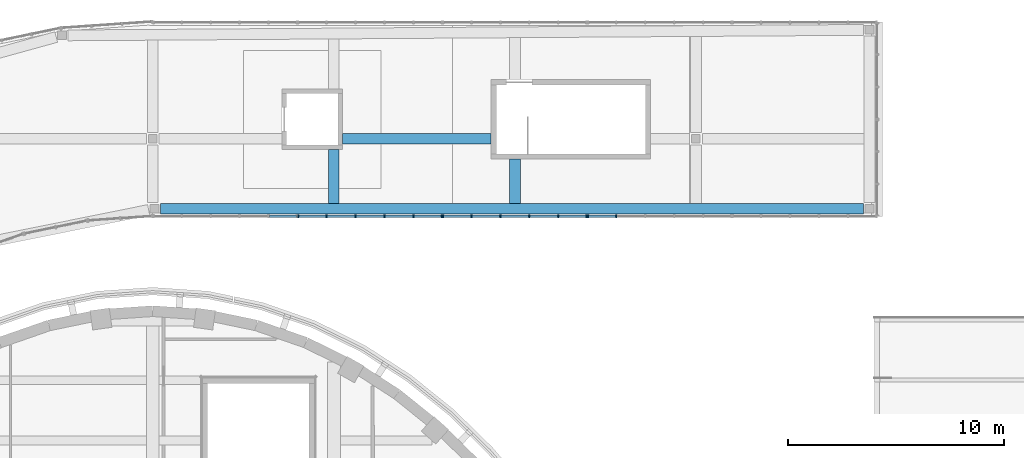
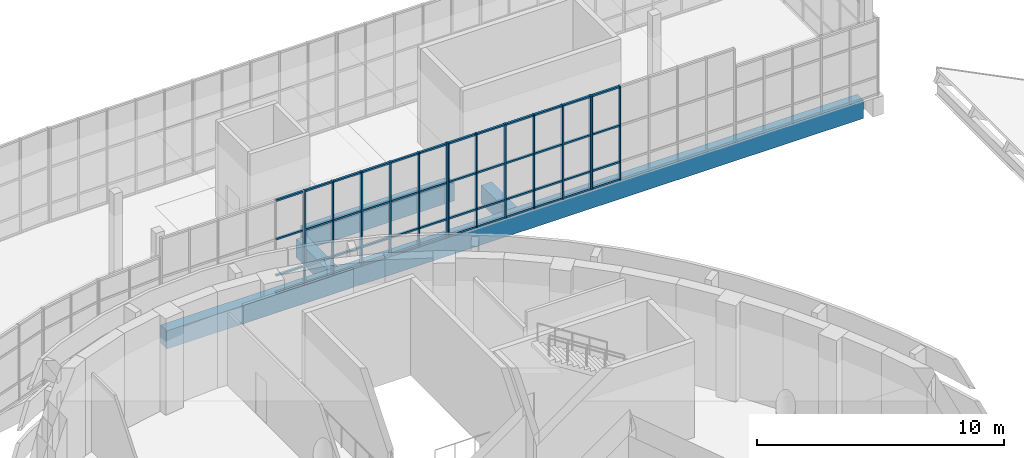
# One storey, part 24 of 103: 62 members, 4 beams, 4 elements without a shape of their own.
"""IFC4 building model written with IfcOpenShell, lengths in metres."""

from ifc_helpers import new_model, si_unit, direction, frame, origin, origin_2d, place, context, subcontext, project, spatial, rectangle, extrude, material, layer, layer_set, material_profile, profile_set, type_object, element, aggregate, save


model = new_model("IFC4")

# Units and contexts
model_context = context("Model", 3, precision=1e-05, world=origin(), true_north=direction((0.0, 1.0)))
body_context = subcontext(model_context, "Body", "Model", "MODEL_VIEW")
ifc_project = project(units=[si_unit("LENGTHUNIT", "METRE"), si_unit("AREAUNIT", "SQUARE_METRE"), si_unit("VOLUMEUNIT", "CUBIC_METRE"), si_unit("PLANEANGLEUNIT", "RADIAN"), si_unit("MASSUNIT", "GRAM", prefix="KILO")], contexts=[model_context])

# Site, building, storey
site_placement = place(None, origin())
site = spatial("IfcSite", under=ifc_project, at=site_placement, CompositionType="ELEMENT")
building_placement = place(site_placement, origin())
building = spatial("IfcBuilding", under=site, at=building_placement, Name="Larchfold Concert Hall", CompositionType="ELEMENT")
storey_placement = place(building_placement, frame((0.0, 0.0, 9.60009765625)))
storey = spatial("IfcBuildingStorey", under=building, at=storey_placement, Name="L02", CompositionType="ELEMENT", Elevation=9.60009765625)

# Curtain wall, members
ifc_material_1 = material(Name="Anodised graphite aluminium curtain wall", Category="aluminium")
ifc_layer = layer(ifc_material_1, 0.14990234375)
ifc_layer_set = layer_set([ifc_layer], Name="Anodised graphite aluminium curtain wall")
curtain_wall_type = type_object("IfcCurtainWallType", Name="Curtain wall WG", PredefinedType="NOTDEFINED", material=ifc_layer_set)
curtain_wall_1_placement = place(storey_placement, origin())
curtain_wall_1 = element("IfcCurtainWall", 1, at=curtain_wall_1_placement, inside=storey, type_object=curtain_wall_type, Name="Curtain wall CW0244", PredefinedType="NOTDEFINED")
ifc_material_2 = material(Name="Anodised graphite aluminium mullion", Category="aluminium")
ifc_material_profile_1 = material_profile(ifc_material_2, rectangle(XDim=0.14990234375, YDim=0.06005859375, at=origin_2d()))
ifc_profile_set_1 = profile_set([ifc_material_profile_1], Name="Anodised graphite aluminium mullion")
member_type_1 = type_object("IfcMemberType", Name="Aluminium mullion 60x150", PredefinedType="MULLION", material=ifc_profile_set_1)
member_1_placement = place(storey_placement, frame((49.35009765625, 123.0, 0.0), z_axis=(0.0, 0.0, 1.0), x_axis=(0.0, 1.0, 0.0)))
member_1 = element("IfcMember", 2, at=member_1_placement, type_object=member_type_1, Name="CW0244 mullion 1", PredefinedType="MULLION", context=body_context, shape_type="SweptSolid", body=[
    extrude(rectangle(XDim=0.14990234375, YDim=0.06005859375, at=origin_2d()), origin(), (0.0, 0.0, 1.0), 4.64990234375),
])
member_2_placement = place(storey_placement, frame((50.6640625, 123.0, 0.0), z_axis=(0.0, 0.0, 1.0), x_axis=(0.0, 1.0, 0.0)))
member_2 = element("IfcMember", 3, at=member_2_placement, type_object=member_type_1, Name="CW0244 mullion 2", PredefinedType="MULLION", context=body_context, shape_type="SweptSolid", body=[
    extrude(rectangle(XDim=0.14990234375, YDim=0.06005859375, at=origin_2d()), origin(), (0.0, 0.0, 1.0), 4.64990234375),
])
member_3_placement = place(storey_placement, frame((52.008056640625, 123.0, 0.0), z_axis=(0.0, 0.0, 1.0), x_axis=(0.0, 1.0, 0.0)))
member_3 = element("IfcMember", 4, at=member_3_placement, type_object=member_type_1, Name="CW0244 mullion 3", PredefinedType="MULLION", context=body_context, shape_type="SweptSolid", body=[
    extrude(rectangle(XDim=0.14990234375, YDim=0.06005859375, at=origin_2d()), origin(), (0.0, 0.0, 1.0), 4.64990234375),
])
member_4_placement = place(storey_placement, frame((53.35205078125, 123.0, 0.0), z_axis=(0.0, 0.0, 1.0), x_axis=(0.0, 1.0, 0.0)))
member_4 = element("IfcMember", 5, at=member_4_placement, type_object=member_type_1, Name="CW0244 mullion 4", PredefinedType="MULLION", context=body_context, shape_type="SweptSolid", body=[
    extrude(rectangle(XDim=0.14990234375, YDim=0.06005859375, at=origin_2d()), origin(), (0.0, 0.0, 1.0), 4.64990234375),
])
member_5_placement = place(storey_placement, frame((54.696044921875, 123.0, 0.0), z_axis=(0.0, 0.0, 1.0), x_axis=(0.0, 1.0, 0.0)))
member_5 = element("IfcMember", 6, at=member_5_placement, type_object=member_type_1, Name="CW0244 mullion 5", PredefinedType="MULLION", context=body_context, shape_type="SweptSolid", body=[
    extrude(rectangle(XDim=0.14990234375, YDim=0.06005859375, at=origin_2d()), origin(), (0.0, 0.0, 1.0), 4.64990234375),
])
member_6_placement = place(storey_placement, frame((56.010009765625, 123.0, 0.0), z_axis=(0.0, 0.0, 1.0), x_axis=(0.0, 1.0, 0.0)))
member_6 = element("IfcMember", 7, at=member_6_placement, type_object=member_type_1, Name="CW0244 mullion 6", PredefinedType="MULLION", context=body_context, shape_type="SweptSolid", body=[
    extrude(rectangle(XDim=0.14990234375, YDim=0.06005859375, at=origin_2d()), origin(), (0.0, 0.0, 1.0), 4.64990234375),
])

curtain_wall_2_placement = place(storey_placement, origin())
curtain_wall_2 = element("IfcCurtainWall", 8, at=curtain_wall_2_placement, inside=storey, type_object=curtain_wall_type, Name="Curtain wall CW0245", PredefinedType="NOTDEFINED")
member_7_placement = place(storey_placement, frame((56.070068359375, 123.0, 0.0), z_axis=(0.0, 0.0, 1.0), x_axis=(0.0, 1.0, 0.0)))
member_7 = element("IfcMember", 9, at=member_7_placement, type_object=member_type_1, Name="CW0245 mullion 1", PredefinedType="MULLION", context=body_context, shape_type="SweptSolid", body=[
    extrude(rectangle(XDim=0.14990234375, YDim=0.06005859375, at=origin_2d()), origin(), (0.0, 0.0, 1.0), 4.64990234375),
])
member_8_placement = place(storey_placement, frame((57.384033203125, 123.0, 0.0), z_axis=(0.0, 0.0, 1.0), x_axis=(0.0, 1.0, 0.0)))
member_8 = element("IfcMember", 10, at=member_8_placement, type_object=member_type_1, Name="CW0245 mullion 2", PredefinedType="MULLION", context=body_context, shape_type="SweptSolid", body=[
    extrude(rectangle(XDim=0.14990234375, YDim=0.06005859375, at=origin_2d()), origin(), (0.0, 0.0, 1.0), 4.64990234375),
])
member_9_placement = place(storey_placement, frame((58.72802734375, 123.0, 0.0), z_axis=(0.0, 0.0, 1.0), x_axis=(0.0, 1.0, 0.0)))
member_9 = element("IfcMember", 11, at=member_9_placement, type_object=member_type_1, Name="CW0245 mullion 3", PredefinedType="MULLION", context=body_context, shape_type="SweptSolid", body=[
    extrude(rectangle(XDim=0.14990234375, YDim=0.06005859375, at=origin_2d()), origin(), (0.0, 0.0, 1.0), 4.64990234375),
])
member_10_placement = place(storey_placement, frame((60.072021484375, 123.0, 0.0), z_axis=(0.0, 0.0, 1.0), x_axis=(0.0, 1.0, 0.0)))
member_10 = element("IfcMember", 12, at=member_10_placement, type_object=member_type_1, Name="CW0245 mullion 4", PredefinedType="MULLION", context=body_context, shape_type="SweptSolid", body=[
    extrude(rectangle(XDim=0.14990234375, YDim=0.06005859375, at=origin_2d()), origin(), (0.0, 0.0, 1.0), 4.64990234375),
])
member_11_placement = place(storey_placement, frame((61.416015625, 123.0, 0.0), z_axis=(0.0, 0.0, 1.0), x_axis=(0.0, 1.0, 0.0)))
member_11 = element("IfcMember", 13, at=member_11_placement, type_object=member_type_1, Name="CW0245 mullion 5", PredefinedType="MULLION", context=body_context, shape_type="SweptSolid", body=[
    extrude(rectangle(XDim=0.14990234375, YDim=0.06005859375, at=origin_2d()), origin(), (0.0, 0.0, 1.0), 4.64990234375),
])
member_12_placement = place(storey_placement, frame((62.72998046875, 123.0, 0.0), z_axis=(0.0, 0.0, 1.0), x_axis=(0.0, 1.0, 0.0)))
member_12 = element("IfcMember", 14, at=member_12_placement, type_object=member_type_1, Name="CW0245 mullion 6", PredefinedType="MULLION", context=body_context, shape_type="SweptSolid", body=[
    extrude(rectangle(XDim=0.14990234375, YDim=0.06005859375, at=origin_2d()), origin(), (0.0, 0.0, 1.0), 4.64990234375),
])

curtain_wall_3_placement = place(storey_placement, origin())
curtain_wall_3 = element("IfcCurtainWall", 15, at=curtain_wall_3_placement, inside=storey, type_object=curtain_wall_type, Name="Curtain wall CW0246", PredefinedType="NOTDEFINED")
member_13_placement = place(storey_placement, frame((62.7900390625, 123.0, 0.0), z_axis=(0.0, 0.0, 1.0), x_axis=(0.0, 1.0, 0.0)))
member_13 = element("IfcMember", 16, at=member_13_placement, type_object=member_type_1, Name="CW0246 mullion 1", PredefinedType="MULLION", context=body_context, shape_type="SweptSolid", body=[
    extrude(rectangle(XDim=0.14990234375, YDim=0.06005859375, at=origin_2d()), origin(), (0.0, 0.0, 1.0), 4.64990234375),
])
member_14_placement = place(storey_placement, frame((64.10400390625, 123.0, 0.0), z_axis=(0.0, 0.0, 1.0), x_axis=(0.0, 1.0, 0.0)))
member_14 = element("IfcMember", 17, at=member_14_placement, type_object=member_type_1, Name="CW0246 mullion 2", PredefinedType="MULLION", context=body_context, shape_type="SweptSolid", body=[
    extrude(rectangle(XDim=0.14990234375, YDim=0.06005859375, at=origin_2d()), origin(), (0.0, 0.0, 1.0), 4.64990234375),
])

curtain_wall_4_placement = place(storey_placement, origin())
curtain_wall_4 = element("IfcCurtainWall", 18, at=curtain_wall_4_placement, inside=storey, type_object=curtain_wall_type, Name="Curtain wall CW0243", PredefinedType="NOTDEFINED")
ifc_material_3 = material(Name="Anodised graphite aluminium transom", Category="aluminium")
ifc_material_profile_2 = material_profile(ifc_material_3, rectangle(XDim=0.10009765625, YDim=0.080078125, at=origin_2d()))
ifc_profile_set_2 = profile_set([ifc_material_profile_2], Name="Anodised graphite aluminium transom")
member_type_2 = type_object("IfcMemberType", Name="Aluminium transom 80x100", PredefinedType="USERDEFINED", material=ifc_profile_set_2)
member_15_placement = place(storey_placement, frame((48.006103515625, 123.0, 0.0400390625), z_axis=(1.0, 0.0, 0.0), x_axis=(0.0, 1.0, 0.0)))
member_15 = element("IfcMember", 19, at=member_15_placement, type_object=member_type_2, Name="CW0243 transom 5.1", ObjectType="TRANSOM", PredefinedType="USERDEFINED", context=body_context, shape_type="SweptSolid", body=[
    extrude(rectangle(XDim=0.10009765625, YDim=0.080078125, at=origin_2d()), origin(), (0.0, 0.0, 1.0), 1.25390625),
])
member_16_placement = place(storey_placement, frame((48.006103515625, 123.0, 0.89990234375), z_axis=(1.0, 0.0, 0.0), x_axis=(0.0, 1.0, 0.0)))
member_16 = element("IfcMember", 20, at=member_16_placement, type_object=member_type_2, Name="CW0243 transom 5.2", ObjectType="TRANSOM", PredefinedType="USERDEFINED", context=body_context, shape_type="SweptSolid", body=[
    extrude(rectangle(XDim=0.10009765625, YDim=0.080078125, at=origin_2d()), origin(), (0.0, 0.0, 1.0), 1.25390625),
])
member_17_placement = place(storey_placement, frame((48.006103515625, 123.0, 2.699951171875), z_axis=(1.0, 0.0, 0.0), x_axis=(0.0, 1.0, 0.0)))
member_17 = element("IfcMember", 21, at=member_17_placement, type_object=member_type_2, Name="CW0243 transom 5.3", ObjectType="TRANSOM", PredefinedType="USERDEFINED", context=body_context, shape_type="SweptSolid", body=[
    extrude(rectangle(XDim=0.10009765625, YDim=0.080078125, at=origin_2d()), origin(), (0.0, 0.0, 1.0), 1.25390625),
])
member_18_placement = place(storey_placement, frame((48.006103515625, 123.0, 4.60986328125), z_axis=(1.0, 0.0, 0.0), x_axis=(0.0, 1.0, 0.0)))
member_18 = element("IfcMember", 22, at=member_18_placement, type_object=member_type_2, Name="CW0243 transom 5.4", ObjectType="TRANSOM", PredefinedType="USERDEFINED", context=body_context, shape_type="SweptSolid", body=[
    extrude(rectangle(XDim=0.10009765625, YDim=0.080078125, at=origin_2d()), origin(), (0.0, 0.0, 1.0), 1.25390625),
])
aggregate(curtain_wall_4, [member_15, member_16, member_17, member_18])

# Member
member_19_placement = place(storey_placement, frame((49.380126953125, 123.0, 0.0400390625), z_axis=(1.0, 0.0, 0.0), x_axis=(0.0, 1.0, 0.0)))
member_19 = element("IfcMember", 23, at=member_19_placement, type_object=member_type_2, Name="CW0244 transom 1.1", ObjectType="TRANSOM", PredefinedType="USERDEFINED", context=body_context, shape_type="SweptSolid", body=[
    extrude(rectangle(XDim=0.10009765625, YDim=0.080078125, at=origin_2d()), origin(), (0.0, 0.0, 1.0), 1.25390625),
])

member_20_placement = place(storey_placement, frame((49.380126953125, 123.0, 0.89990234375), z_axis=(1.0, 0.0, 0.0), x_axis=(0.0, 1.0, 0.0)))
member_20 = element("IfcMember", 24, at=member_20_placement, type_object=member_type_2, Name="CW0244 transom 1.2", ObjectType="TRANSOM", PredefinedType="USERDEFINED", context=body_context, shape_type="SweptSolid", body=[
    extrude(rectangle(XDim=0.10009765625, YDim=0.080078125, at=origin_2d()), origin(), (0.0, 0.0, 1.0), 1.25390625),
])

member_21_placement = place(storey_placement, frame((49.380126953125, 123.0, 2.699951171875), z_axis=(1.0, 0.0, 0.0), x_axis=(0.0, 1.0, 0.0)))
member_21 = element("IfcMember", 25, at=member_21_placement, type_object=member_type_2, Name="CW0244 transom 1.3", ObjectType="TRANSOM", PredefinedType="USERDEFINED", context=body_context, shape_type="SweptSolid", body=[
    extrude(rectangle(XDim=0.10009765625, YDim=0.080078125, at=origin_2d()), origin(), (0.0, 0.0, 1.0), 1.25390625),
])

member_22_placement = place(storey_placement, frame((49.380126953125, 123.0, 4.60986328125), z_axis=(1.0, 0.0, 0.0), x_axis=(0.0, 1.0, 0.0)))
member_22 = element("IfcMember", 26, at=member_22_placement, type_object=member_type_2, Name="CW0244 transom 1.4", ObjectType="TRANSOM", PredefinedType="USERDEFINED", context=body_context, shape_type="SweptSolid", body=[
    extrude(rectangle(XDim=0.10009765625, YDim=0.080078125, at=origin_2d()), origin(), (0.0, 0.0, 1.0), 1.25390625),
])

member_23_placement = place(storey_placement, frame((50.694091796875, 123.0, 0.0400390625), z_axis=(1.0, 0.0, 0.0), x_axis=(0.0, 1.0, 0.0)))
member_23 = element("IfcMember", 27, at=member_23_placement, type_object=member_type_2, Name="CW0244 transom 2.1", ObjectType="TRANSOM", PredefinedType="USERDEFINED", context=body_context, shape_type="SweptSolid", body=[
    extrude(rectangle(XDim=0.10009765625, YDim=0.080078125, at=origin_2d()), origin(), (0.0, 0.0, 1.0), 1.283935546875),
])

member_24_placement = place(storey_placement, frame((50.694091796875, 123.0, 0.89990234375), z_axis=(1.0, 0.0, 0.0), x_axis=(0.0, 1.0, 0.0)))
member_24 = element("IfcMember", 28, at=member_24_placement, type_object=member_type_2, Name="CW0244 transom 2.2", ObjectType="TRANSOM", PredefinedType="USERDEFINED", context=body_context, shape_type="SweptSolid", body=[
    extrude(rectangle(XDim=0.10009765625, YDim=0.080078125, at=origin_2d()), origin(), (0.0, 0.0, 1.0), 1.283935546875),
])

member_25_placement = place(storey_placement, frame((50.694091796875, 123.0, 2.699951171875), z_axis=(1.0, 0.0, 0.0), x_axis=(0.0, 1.0, 0.0)))
member_25 = element("IfcMember", 29, at=member_25_placement, type_object=member_type_2, Name="CW0244 transom 2.3", ObjectType="TRANSOM", PredefinedType="USERDEFINED", context=body_context, shape_type="SweptSolid", body=[
    extrude(rectangle(XDim=0.10009765625, YDim=0.080078125, at=origin_2d()), origin(), (0.0, 0.0, 1.0), 1.283935546875),
])

member_26_placement = place(storey_placement, frame((50.694091796875, 123.0, 4.60986328125), z_axis=(1.0, 0.0, 0.0), x_axis=(0.0, 1.0, 0.0)))
member_26 = element("IfcMember", 30, at=member_26_placement, type_object=member_type_2, Name="CW0244 transom 2.4", ObjectType="TRANSOM", PredefinedType="USERDEFINED", context=body_context, shape_type="SweptSolid", body=[
    extrude(rectangle(XDim=0.10009765625, YDim=0.080078125, at=origin_2d()), origin(), (0.0, 0.0, 1.0), 1.283935546875),
])

member_27_placement = place(storey_placement, frame((52.0380859375, 123.0, 0.0400390625), z_axis=(1.0, 0.0, 0.0), x_axis=(0.0, 1.0, 0.0)))
member_27 = element("IfcMember", 31, at=member_27_placement, type_object=member_type_2, Name="CW0244 transom 3.1", ObjectType="TRANSOM", PredefinedType="USERDEFINED", context=body_context, shape_type="SweptSolid", body=[
    extrude(rectangle(XDim=0.10009765625, YDim=0.080078125, at=origin_2d()), origin(), (0.0, 0.0, 1.0), 1.283935546875),
])

member_28_placement = place(storey_placement, frame((52.0380859375, 123.0, 0.89990234375), z_axis=(1.0, 0.0, 0.0), x_axis=(0.0, 1.0, 0.0)))
member_28 = element("IfcMember", 32, at=member_28_placement, type_object=member_type_2, Name="CW0244 transom 3.2", ObjectType="TRANSOM", PredefinedType="USERDEFINED", context=body_context, shape_type="SweptSolid", body=[
    extrude(rectangle(XDim=0.10009765625, YDim=0.080078125, at=origin_2d()), origin(), (0.0, 0.0, 1.0), 1.283935546875),
])

member_29_placement = place(storey_placement, frame((52.0380859375, 123.0, 2.699951171875), z_axis=(1.0, 0.0, 0.0), x_axis=(0.0, 1.0, 0.0)))
member_29 = element("IfcMember", 33, at=member_29_placement, type_object=member_type_2, Name="CW0244 transom 3.3", ObjectType="TRANSOM", PredefinedType="USERDEFINED", context=body_context, shape_type="SweptSolid", body=[
    extrude(rectangle(XDim=0.10009765625, YDim=0.080078125, at=origin_2d()), origin(), (0.0, 0.0, 1.0), 1.283935546875),
])

member_30_placement = place(storey_placement, frame((52.0380859375, 123.0, 4.60986328125), z_axis=(1.0, 0.0, 0.0), x_axis=(0.0, 1.0, 0.0)))
member_30 = element("IfcMember", 34, at=member_30_placement, type_object=member_type_2, Name="CW0244 transom 3.4", ObjectType="TRANSOM", PredefinedType="USERDEFINED", context=body_context, shape_type="SweptSolid", body=[
    extrude(rectangle(XDim=0.10009765625, YDim=0.080078125, at=origin_2d()), origin(), (0.0, 0.0, 1.0), 1.283935546875),
])

member_31_placement = place(storey_placement, frame((53.382080078125, 123.0, 0.0400390625), z_axis=(1.0, 0.0, 0.0), x_axis=(0.0, 1.0, 0.0)))
member_31 = element("IfcMember", 35, at=member_31_placement, type_object=member_type_2, Name="CW0244 transom 4.1", ObjectType="TRANSOM", PredefinedType="USERDEFINED", context=body_context, shape_type="SweptSolid", body=[
    extrude(rectangle(XDim=0.10009765625, YDim=0.080078125, at=origin_2d()), origin(), (0.0, 0.0, 1.0), 1.283935546875),
])

member_32_placement = place(storey_placement, frame((53.382080078125, 123.0, 0.89990234375), z_axis=(1.0, 0.0, 0.0), x_axis=(0.0, 1.0, 0.0)))
member_32 = element("IfcMember", 36, at=member_32_placement, type_object=member_type_2, Name="CW0244 transom 4.2", ObjectType="TRANSOM", PredefinedType="USERDEFINED", context=body_context, shape_type="SweptSolid", body=[
    extrude(rectangle(XDim=0.10009765625, YDim=0.080078125, at=origin_2d()), origin(), (0.0, 0.0, 1.0), 1.283935546875),
])

member_33_placement = place(storey_placement, frame((53.382080078125, 123.0, 2.699951171875), z_axis=(1.0, 0.0, 0.0), x_axis=(0.0, 1.0, 0.0)))
member_33 = element("IfcMember", 37, at=member_33_placement, type_object=member_type_2, Name="CW0244 transom 4.3", ObjectType="TRANSOM", PredefinedType="USERDEFINED", context=body_context, shape_type="SweptSolid", body=[
    extrude(rectangle(XDim=0.10009765625, YDim=0.080078125, at=origin_2d()), origin(), (0.0, 0.0, 1.0), 1.283935546875),
])

member_34_placement = place(storey_placement, frame((53.382080078125, 123.0, 4.60986328125), z_axis=(1.0, 0.0, 0.0), x_axis=(0.0, 1.0, 0.0)))
member_34 = element("IfcMember", 38, at=member_34_placement, type_object=member_type_2, Name="CW0244 transom 4.4", ObjectType="TRANSOM", PredefinedType="USERDEFINED", context=body_context, shape_type="SweptSolid", body=[
    extrude(rectangle(XDim=0.10009765625, YDim=0.080078125, at=origin_2d()), origin(), (0.0, 0.0, 1.0), 1.283935546875),
])

member_35_placement = place(storey_placement, frame((54.72607421875, 123.0, 0.0400390625), z_axis=(1.0, 0.0, 0.0), x_axis=(0.0, 1.0, 0.0)))
member_35 = element("IfcMember", 39, at=member_35_placement, type_object=member_type_2, Name="CW0244 transom 5.1", ObjectType="TRANSOM", PredefinedType="USERDEFINED", context=body_context, shape_type="SweptSolid", body=[
    extrude(rectangle(XDim=0.10009765625, YDim=0.080078125, at=origin_2d()), origin(), (0.0, 0.0, 1.0), 1.25390625),
])

member_36_placement = place(storey_placement, frame((54.72607421875, 123.0, 0.89990234375), z_axis=(1.0, 0.0, 0.0), x_axis=(0.0, 1.0, 0.0)))
member_36 = element("IfcMember", 40, at=member_36_placement, type_object=member_type_2, Name="CW0244 transom 5.2", ObjectType="TRANSOM", PredefinedType="USERDEFINED", context=body_context, shape_type="SweptSolid", body=[
    extrude(rectangle(XDim=0.10009765625, YDim=0.080078125, at=origin_2d()), origin(), (0.0, 0.0, 1.0), 1.25390625),
])

member_37_placement = place(storey_placement, frame((54.72607421875, 123.0, 2.699951171875), z_axis=(1.0, 0.0, 0.0), x_axis=(0.0, 1.0, 0.0)))
member_37 = element("IfcMember", 41, at=member_37_placement, type_object=member_type_2, Name="CW0244 transom 5.3", ObjectType="TRANSOM", PredefinedType="USERDEFINED", context=body_context, shape_type="SweptSolid", body=[
    extrude(rectangle(XDim=0.10009765625, YDim=0.080078125, at=origin_2d()), origin(), (0.0, 0.0, 1.0), 1.25390625),
])

member_38_placement = place(storey_placement, frame((54.72607421875, 123.0, 4.60986328125), z_axis=(1.0, 0.0, 0.0), x_axis=(0.0, 1.0, 0.0)))
member_38 = element("IfcMember", 42, at=member_38_placement, type_object=member_type_2, Name="CW0244 transom 5.4", ObjectType="TRANSOM", PredefinedType="USERDEFINED", context=body_context, shape_type="SweptSolid", body=[
    extrude(rectangle(XDim=0.10009765625, YDim=0.080078125, at=origin_2d()), origin(), (0.0, 0.0, 1.0), 1.25390625),
])

aggregate(curtain_wall_1, [member_1, member_2, member_3, member_4, member_5, member_6, member_19, member_20, member_21, member_22, member_23, member_24, member_25, member_26, member_27, member_28, member_29, member_30, member_31, member_32, member_33, member_34, member_35, member_36, member_37, member_38])

member_39_placement = place(storey_placement, frame((56.10009765625, 123.0, 0.0400390625), z_axis=(1.0, 0.0, 0.0), x_axis=(0.0, 1.0, 0.0)))
member_39 = element("IfcMember", 43, at=member_39_placement, type_object=member_type_2, Name="CW0245 transom 1.1", ObjectType="TRANSOM", PredefinedType="USERDEFINED", context=body_context, shape_type="SweptSolid", body=[
    extrude(rectangle(XDim=0.10009765625, YDim=0.080078125, at=origin_2d()), origin(), (0.0, 0.0, 1.0), 1.25390625),
])

member_40_placement = place(storey_placement, frame((56.10009765625, 123.0, 0.89990234375), z_axis=(1.0, 0.0, 0.0), x_axis=(0.0, 1.0, 0.0)))
member_40 = element("IfcMember", 44, at=member_40_placement, type_object=member_type_2, Name="CW0245 transom 1.2", ObjectType="TRANSOM", PredefinedType="USERDEFINED", context=body_context, shape_type="SweptSolid", body=[
    extrude(rectangle(XDim=0.10009765625, YDim=0.080078125, at=origin_2d()), origin(), (0.0, 0.0, 1.0), 1.25390625),
])

member_41_placement = place(storey_placement, frame((56.10009765625, 123.0, 2.699951171875), z_axis=(1.0, 0.0, 0.0), x_axis=(0.0, 1.0, 0.0)))
member_41 = element("IfcMember", 45, at=member_41_placement, type_object=member_type_2, Name="CW0245 transom 1.3", ObjectType="TRANSOM", PredefinedType="USERDEFINED", context=body_context, shape_type="SweptSolid", body=[
    extrude(rectangle(XDim=0.10009765625, YDim=0.080078125, at=origin_2d()), origin(), (0.0, 0.0, 1.0), 1.25390625),
])

member_42_placement = place(storey_placement, frame((56.10009765625, 123.0, 4.60986328125), z_axis=(1.0, 0.0, 0.0), x_axis=(0.0, 1.0, 0.0)))
member_42 = element("IfcMember", 46, at=member_42_placement, type_object=member_type_2, Name="CW0245 transom 1.4", ObjectType="TRANSOM", PredefinedType="USERDEFINED", context=body_context, shape_type="SweptSolid", body=[
    extrude(rectangle(XDim=0.10009765625, YDim=0.080078125, at=origin_2d()), origin(), (0.0, 0.0, 1.0), 1.25390625),
])

member_43_placement = place(storey_placement, frame((57.4140625, 123.0, 0.0400390625), z_axis=(1.0, 0.0, 0.0), x_axis=(0.0, 1.0, 0.0)))
member_43 = element("IfcMember", 47, at=member_43_placement, type_object=member_type_2, Name="CW0245 transom 2.1", ObjectType="TRANSOM", PredefinedType="USERDEFINED", context=body_context, shape_type="SweptSolid", body=[
    extrude(rectangle(XDim=0.10009765625, YDim=0.080078125, at=origin_2d()), origin(), (0.0, 0.0, 1.0), 1.283935546875),
])

member_44_placement = place(storey_placement, frame((57.4140625, 123.0, 0.89990234375), z_axis=(1.0, 0.0, 0.0), x_axis=(0.0, 1.0, 0.0)))
member_44 = element("IfcMember", 48, at=member_44_placement, type_object=member_type_2, Name="CW0245 transom 2.2", ObjectType="TRANSOM", PredefinedType="USERDEFINED", context=body_context, shape_type="SweptSolid", body=[
    extrude(rectangle(XDim=0.10009765625, YDim=0.080078125, at=origin_2d()), origin(), (0.0, 0.0, 1.0), 1.283935546875),
])

member_45_placement = place(storey_placement, frame((57.4140625, 123.0, 2.699951171875), z_axis=(1.0, 0.0, 0.0), x_axis=(0.0, 1.0, 0.0)))
member_45 = element("IfcMember", 49, at=member_45_placement, type_object=member_type_2, Name="CW0245 transom 2.3", ObjectType="TRANSOM", PredefinedType="USERDEFINED", context=body_context, shape_type="SweptSolid", body=[
    extrude(rectangle(XDim=0.10009765625, YDim=0.080078125, at=origin_2d()), origin(), (0.0, 0.0, 1.0), 1.283935546875),
])

member_46_placement = place(storey_placement, frame((57.4140625, 123.0, 4.60986328125), z_axis=(1.0, 0.0, 0.0), x_axis=(0.0, 1.0, 0.0)))
member_46 = element("IfcMember", 50, at=member_46_placement, type_object=member_type_2, Name="CW0245 transom 2.4", ObjectType="TRANSOM", PredefinedType="USERDEFINED", context=body_context, shape_type="SweptSolid", body=[
    extrude(rectangle(XDim=0.10009765625, YDim=0.080078125, at=origin_2d()), origin(), (0.0, 0.0, 1.0), 1.283935546875),
])

member_47_placement = place(storey_placement, frame((58.758056640625, 123.0, 0.0400390625), z_axis=(1.0, 0.0, 0.0), x_axis=(0.0, 1.0, 0.0)))
member_47 = element("IfcMember", 51, at=member_47_placement, type_object=member_type_2, Name="CW0245 transom 3.1", ObjectType="TRANSOM", PredefinedType="USERDEFINED", context=body_context, shape_type="SweptSolid", body=[
    extrude(rectangle(XDim=0.10009765625, YDim=0.080078125, at=origin_2d()), origin(), (0.0, 0.0, 1.0), 1.283935546875),
])

member_48_placement = place(storey_placement, frame((58.758056640625, 123.0, 0.89990234375), z_axis=(1.0, 0.0, 0.0), x_axis=(0.0, 1.0, 0.0)))
member_48 = element("IfcMember", 52, at=member_48_placement, type_object=member_type_2, Name="CW0245 transom 3.2", ObjectType="TRANSOM", PredefinedType="USERDEFINED", context=body_context, shape_type="SweptSolid", body=[
    extrude(rectangle(XDim=0.10009765625, YDim=0.080078125, at=origin_2d()), origin(), (0.0, 0.0, 1.0), 1.283935546875),
])

member_49_placement = place(storey_placement, frame((58.758056640625, 123.0, 2.699951171875), z_axis=(1.0, 0.0, 0.0), x_axis=(0.0, 1.0, 0.0)))
member_49 = element("IfcMember", 53, at=member_49_placement, type_object=member_type_2, Name="CW0245 transom 3.3", ObjectType="TRANSOM", PredefinedType="USERDEFINED", context=body_context, shape_type="SweptSolid", body=[
    extrude(rectangle(XDim=0.10009765625, YDim=0.080078125, at=origin_2d()), origin(), (0.0, 0.0, 1.0), 1.283935546875),
])

member_50_placement = place(storey_placement, frame((58.758056640625, 123.0, 4.60986328125), z_axis=(1.0, 0.0, 0.0), x_axis=(0.0, 1.0, 0.0)))
member_50 = element("IfcMember", 54, at=member_50_placement, type_object=member_type_2, Name="CW0245 transom 3.4", ObjectType="TRANSOM", PredefinedType="USERDEFINED", context=body_context, shape_type="SweptSolid", body=[
    extrude(rectangle(XDim=0.10009765625, YDim=0.080078125, at=origin_2d()), origin(), (0.0, 0.0, 1.0), 1.283935546875),
])

member_51_placement = place(storey_placement, frame((60.10205078125, 123.0, 0.0400390625), z_axis=(1.0, 0.0, 0.0), x_axis=(0.0, 1.0, 0.0)))
member_51 = element("IfcMember", 55, at=member_51_placement, type_object=member_type_2, Name="CW0245 transom 4.1", ObjectType="TRANSOM", PredefinedType="USERDEFINED", context=body_context, shape_type="SweptSolid", body=[
    extrude(rectangle(XDim=0.10009765625, YDim=0.080078125, at=origin_2d()), origin(), (0.0, 0.0, 1.0), 1.283935546875),
])

member_52_placement = place(storey_placement, frame((60.10205078125, 123.0, 0.89990234375), z_axis=(1.0, 0.0, 0.0), x_axis=(0.0, 1.0, 0.0)))
member_52 = element("IfcMember", 56, at=member_52_placement, type_object=member_type_2, Name="CW0245 transom 4.2", ObjectType="TRANSOM", PredefinedType="USERDEFINED", context=body_context, shape_type="SweptSolid", body=[
    extrude(rectangle(XDim=0.10009765625, YDim=0.080078125, at=origin_2d()), origin(), (0.0, 0.0, 1.0), 1.283935546875),
])

member_53_placement = place(storey_placement, frame((60.10205078125, 123.0, 2.699951171875), z_axis=(1.0, 0.0, 0.0), x_axis=(0.0, 1.0, 0.0)))
member_53 = element("IfcMember", 57, at=member_53_placement, type_object=member_type_2, Name="CW0245 transom 4.3", ObjectType="TRANSOM", PredefinedType="USERDEFINED", context=body_context, shape_type="SweptSolid", body=[
    extrude(rectangle(XDim=0.10009765625, YDim=0.080078125, at=origin_2d()), origin(), (0.0, 0.0, 1.0), 1.283935546875),
])

member_54_placement = place(storey_placement, frame((60.10205078125, 123.0, 4.60986328125), z_axis=(1.0, 0.0, 0.0), x_axis=(0.0, 1.0, 0.0)))
member_54 = element("IfcMember", 58, at=member_54_placement, type_object=member_type_2, Name="CW0245 transom 4.4", ObjectType="TRANSOM", PredefinedType="USERDEFINED", context=body_context, shape_type="SweptSolid", body=[
    extrude(rectangle(XDim=0.10009765625, YDim=0.080078125, at=origin_2d()), origin(), (0.0, 0.0, 1.0), 1.283935546875),
])

member_55_placement = place(storey_placement, frame((61.446044921875, 123.0, 0.0400390625), z_axis=(1.0, 0.0, 0.0), x_axis=(0.0, 1.0, 0.0)))
member_55 = element("IfcMember", 59, at=member_55_placement, type_object=member_type_2, Name="CW0245 transom 5.1", ObjectType="TRANSOM", PredefinedType="USERDEFINED", context=body_context, shape_type="SweptSolid", body=[
    extrude(rectangle(XDim=0.10009765625, YDim=0.080078125, at=origin_2d()), origin(), (0.0, 0.0, 1.0), 1.25390625),
])

member_56_placement = place(storey_placement, frame((61.446044921875, 123.0, 0.89990234375), z_axis=(1.0, 0.0, 0.0), x_axis=(0.0, 1.0, 0.0)))
member_56 = element("IfcMember", 60, at=member_56_placement, type_object=member_type_2, Name="CW0245 transom 5.2", ObjectType="TRANSOM", PredefinedType="USERDEFINED", context=body_context, shape_type="SweptSolid", body=[
    extrude(rectangle(XDim=0.10009765625, YDim=0.080078125, at=origin_2d()), origin(), (0.0, 0.0, 1.0), 1.25390625),
])

member_57_placement = place(storey_placement, frame((61.446044921875, 123.0, 2.699951171875), z_axis=(1.0, 0.0, 0.0), x_axis=(0.0, 1.0, 0.0)))
member_57 = element("IfcMember", 61, at=member_57_placement, type_object=member_type_2, Name="CW0245 transom 5.3", ObjectType="TRANSOM", PredefinedType="USERDEFINED", context=body_context, shape_type="SweptSolid", body=[
    extrude(rectangle(XDim=0.10009765625, YDim=0.080078125, at=origin_2d()), origin(), (0.0, 0.0, 1.0), 1.25390625),
])

member_58_placement = place(storey_placement, frame((61.446044921875, 123.0, 4.60986328125), z_axis=(1.0, 0.0, 0.0), x_axis=(0.0, 1.0, 0.0)))
member_58 = element("IfcMember", 62, at=member_58_placement, type_object=member_type_2, Name="CW0245 transom 5.4", ObjectType="TRANSOM", PredefinedType="USERDEFINED", context=body_context, shape_type="SweptSolid", body=[
    extrude(rectangle(XDim=0.10009765625, YDim=0.080078125, at=origin_2d()), origin(), (0.0, 0.0, 1.0), 1.25390625),
])

aggregate(curtain_wall_2, [member_7, member_8, member_9, member_10, member_11, member_12, member_39, member_40, member_41, member_42, member_43, member_44, member_45, member_46, member_47, member_48, member_49, member_50, member_51, member_52, member_53, member_54, member_55, member_56, member_57, member_58])

member_59_placement = place(storey_placement, frame((62.820068359375, 123.0, 0.0400390625), z_axis=(1.0, 0.0, 0.0), x_axis=(0.0, 1.0, 0.0)))
member_59 = element("IfcMember", 63, at=member_59_placement, type_object=member_type_2, Name="CW0246 transom 1.1", ObjectType="TRANSOM", PredefinedType="USERDEFINED", context=body_context, shape_type="SweptSolid", body=[
    extrude(rectangle(XDim=0.10009765625, YDim=0.080078125, at=origin_2d()), origin(), (0.0, 0.0, 1.0), 1.25390625),
])

member_60_placement = place(storey_placement, frame((62.820068359375, 123.0, 0.89990234375), z_axis=(1.0, 0.0, 0.0), x_axis=(0.0, 1.0, 0.0)))
member_60 = element("IfcMember", 64, at=member_60_placement, type_object=member_type_2, Name="CW0246 transom 1.2", ObjectType="TRANSOM", PredefinedType="USERDEFINED", context=body_context, shape_type="SweptSolid", body=[
    extrude(rectangle(XDim=0.10009765625, YDim=0.080078125, at=origin_2d()), origin(), (0.0, 0.0, 1.0), 1.25390625),
])

member_61_placement = place(storey_placement, frame((62.820068359375, 123.0, 2.699951171875), z_axis=(1.0, 0.0, 0.0), x_axis=(0.0, 1.0, 0.0)))
member_61 = element("IfcMember", 65, at=member_61_placement, type_object=member_type_2, Name="CW0246 transom 1.3", ObjectType="TRANSOM", PredefinedType="USERDEFINED", context=body_context, shape_type="SweptSolid", body=[
    extrude(rectangle(XDim=0.10009765625, YDim=0.080078125, at=origin_2d()), origin(), (0.0, 0.0, 1.0), 1.25390625),
])

member_62_placement = place(storey_placement, frame((62.820068359375, 123.0, 4.60986328125), z_axis=(1.0, 0.0, 0.0), x_axis=(0.0, 1.0, 0.0)))
member_62 = element("IfcMember", 66, at=member_62_placement, type_object=member_type_2, Name="CW0246 transom 1.4", ObjectType="TRANSOM", PredefinedType="USERDEFINED", context=body_context, shape_type="SweptSolid", body=[
    extrude(rectangle(XDim=0.10009765625, YDim=0.080078125, at=origin_2d()), origin(), (0.0, 0.0, 1.0), 1.25390625),
])

aggregate(curtain_wall_3, [member_13, member_14, member_59, member_60, member_61, member_62])

# Beams
ifc_material_4 = material(Name="Concrete C35/45", Category="concrete")
ifc_material_profile_3 = material_profile(ifc_material_4, rectangle(XDim=0.5, YDim=0.89990234375, at=origin_2d()))
ifc_profile_set_3 = profile_set([ifc_material_profile_3], Name="Concrete C35/45")
beam_type = type_object("IfcBeamType", Name="Beam RC 500x900", PredefinedType="BEAM", material=ifc_profile_set_3)
beam_1_placement = place(storey_placement, frame((75.570068359375, 123.35009765625, -0.60009765625), z_axis=(-1.0, 0.0, 0.0), x_axis=(0.0, -1.0, 0.0)))
element("IfcBeam", 67, at=beam_1_placement, inside=storey, type_object=beam_type, Name="Beam B1951", PredefinedType="BEAM", context=body_context, shape_type="SweptSolid", body=[
    extrude(rectangle(XDim=0.5, YDim=0.89990234375, at=origin_2d()), origin(), (0.0, 0.0, 1.0), 32.60595703125),
])
beam_2_placement = place(storey_placement, frame((51.0, 123.60009765625, -0.60009765625), z_axis=(0.0, 1.0, 0.0), x_axis=(-1.0, 0.0, 0.0)))
element("IfcBeam", 68, at=beam_2_placement, inside=storey, type_object=beam_type, Name="Beam B1975", PredefinedType="BEAM", context=body_context, shape_type="SweptSolid", body=[
    extrude(rectangle(XDim=0.5, YDim=0.89990234375, at=origin_2d()), origin(), (0.0, 0.0, 1.0), 2.5),
])
beam_3_placement = place(storey_placement, frame((59.39990234375, 123.60009765625, -0.60009765625), z_axis=(0.0, 1.0, 0.0), x_axis=(-1.0, 0.0, 0.0)))
element("IfcBeam", 69, at=beam_3_placement, inside=storey, type_object=beam_type, Name="Beam B1977", PredefinedType="BEAM", context=body_context, shape_type="SweptSolid", body=[
    extrude(rectangle(XDim=0.5, YDim=0.89990234375, at=origin_2d()), origin(), (0.0, 0.0, 1.0), 2.0498046875),
])
beam_4_placement = place(storey_placement, frame((51.39990234375, 126.60009765625, -0.60009765625), z_axis=(1.0, 0.0, 0.0), x_axis=(0.0, 1.0, 0.0)))
element("IfcBeam", 70, at=beam_4_placement, inside=storey, type_object=beam_type, Name="Beam B2002", PredefinedType="BEAM", context=body_context, shape_type="SweptSolid", body=[
    extrude(rectangle(XDim=0.5, YDim=0.89990234375, at=origin_2d()), origin(), (0.0, 0.0, 1.0), 6.900146484375),
])

save(model, "model.ifc")
